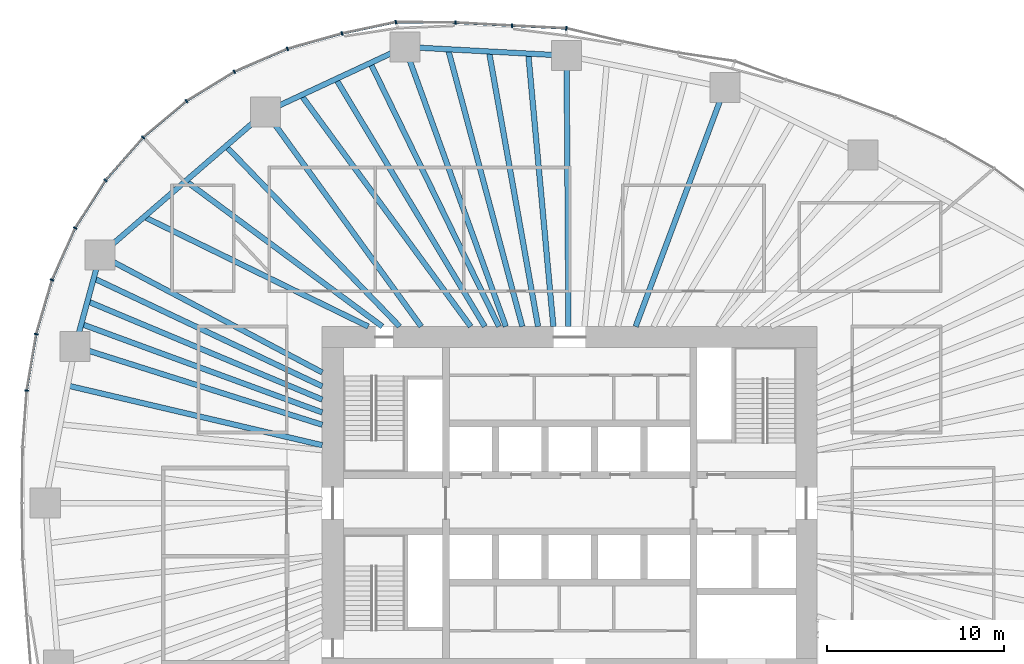
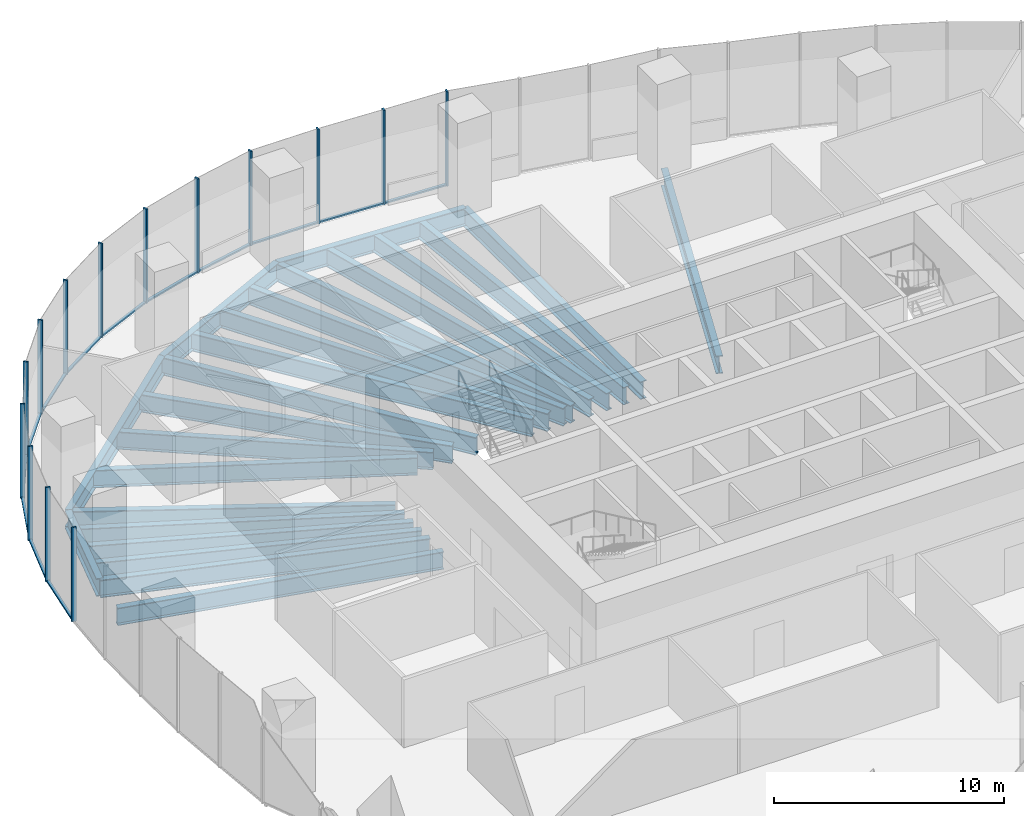
# One storey, part 5 of 20: 27 members, 23 beams, 5 elements without a shape of their own.
"""IFC4 building model written with IfcOpenShell, lengths in metres."""

import ifcopenshell
import ifcopenshell.guid

model = None  # the IFC model being written
_history = None  # IfcOwnerHistory: only IFC2X3 demands one
_inside = {}  # id of a spatial element -> (the spatial element, [elements in it])
_under = {}  # id of a project, library or spatial element -> (it, [spatial elements below it])
_declared = {}  # id of a project -> (the project, [libraries it declares])
_typed = {}  # id of a type object -> (the type object, [elements of that type])
_made_of = {}  # id of a material, layer set ... -> (it, [elements and type objects made of it])


def new_model(schema):
    """Start an empty IFC model of exactly this schema.

    Asked for "IFC4X3", IfcOpenShell would pick the latest addendum, in which some entities
    have other attributes; the version numbers below select the first issue.
    IFC2X3 requires an IfcOwnerHistory on every rooted entity: one is made here for all.
    """
    global model, _history
    if schema == "IFC4X3":
        model = ifcopenshell.file(schema_version=(4, 3, 0, 0))
    else:
        model = ifcopenshell.file(schema=schema)
    _inside.clear()
    _under.clear()
    _declared.clear()
    _typed.clear()
    _made_of.clear()
    _history = None
    if model.schema == "IFC2X3":
        org = make("IfcOrganization", Name="unknown")
        user = make(
            "IfcPersonAndOrganization",
            ThePerson=make("IfcPerson", FamilyName="unknown"),
            TheOrganization=org,
        )
        app = make(
            "IfcApplication",
            ApplicationDeveloper=org,
            Version="unknown",
            ApplicationFullName="unknown",
            ApplicationIdentifier="unknown",
        )
        _history = make(
            "IfcOwnerHistory",
            OwningUser=user,
            OwningApplication=app,
            ChangeAction="ADDED",
            CreationDate=0,
        )
    return model


def make(cls, **values):
    """One entity of the class cls with the attributes given. An attribute that is None is left unset."""
    return model.create_entity(
        cls, **{name: value for name, value in values.items() if value is not None}
    )


def rooted(cls, **values):
    """An entity with a GlobalId (a new one), such as an element, a storey or a relation."""
    return make(cls, GlobalId=ifcopenshell.guid.new(), OwnerHistory=_history, **values)


def si_unit(unit_type, name, prefix=None):
    """IfcSIUnit, for example si_unit("LENGTHUNIT", "METRE", prefix="MILLI")."""
    return make("IfcSIUnit", UnitType=unit_type, Prefix=prefix, Name=name)


def assignment(units):
    """IfcUnitAssignment: the units of a project."""
    return None if units is None else make("IfcUnitAssignment", Units=units)


def point(xyz):
    """IfcCartesianPoint."""
    return None if xyz is None else make("IfcCartesianPoint", Coordinates=xyz)


def direction(xyz):
    """IfcDirection."""
    return None if xyz is None else make("IfcDirection", DirectionRatios=xyz)


def frame(location, z_axis=None, x_axis=None):
    """IfcAxis2Placement3D, a coordinate frame: its origin and axes. An axis left out is left unset."""
    return make(
        "IfcAxis2Placement3D",
        Location=point(location),
        Axis=direction(z_axis),
        RefDirection=direction(x_axis),
    )


def frame_2d(location, x_axis=None):
    """IfcAxis2Placement2D, a coordinate frame in the plane: its origin and x axis."""
    return make(
        "IfcAxis2Placement2D", Location=point(location), RefDirection=direction(x_axis)
    )


def origin():
    """The frame at (0, 0, 0) with its axes left unset."""
    return frame((0.0, 0.0, 0.0))


def origin_2d():
    """The frame at (0, 0) in the plane with its x axis left unset."""
    return frame_2d((0.0, 0.0))


def place(relative_to, where):
    """IfcLocalPlacement: puts the frame where relative to a parent placement (None: the world)."""
    return make(
        "IfcLocalPlacement", PlacementRelTo=relative_to, RelativePlacement=where
    )


def context(
    kind, dimensions, precision=None, world=None, true_north=None, identifier=None
):
    """IfcGeometricRepresentationContext, for example the 3D "Model" context."""
    return make(
        "IfcGeometricRepresentationContext",
        ContextIdentifier=identifier,
        ContextType=kind,
        CoordinateSpaceDimension=dimensions,
        Precision=precision,
        WorldCoordinateSystem=world,
        TrueNorth=true_north,
    )


def subcontext(parent, identifier, kind, view, scale=None):
    """IfcGeometricRepresentationSubContext, for example "Body" below "Model"."""
    return make(
        "IfcGeometricRepresentationSubContext",
        ContextIdentifier=identifier,
        ContextType=kind,
        ParentContext=parent,
        TargetScale=scale,
        TargetView=view,
    )


def project(units=None, contexts=None):
    """IfcProject with its units and contexts."""
    return rooted(
        "IfcProject",
        Name="project",
        RepresentationContexts=contexts,
        UnitsInContext=assignment(units),
    )


def spatial(cls, under=None, at=None, **own):
    """A site, building, storey or space (cls), placed at a placement, below another one or the project."""
    s = rooted(cls, ObjectPlacement=at, **own)
    if under is not None:
        _under.setdefault(under.id(), (under, []))[1].append(s)
    return s


def profile(cls, at=None, kind="AREA", **sizes):
    """A parametric profile (cls). Its sizes go by their IFC names, for example OverallWidth=200.0."""
    return make(cls, ProfileType=kind, Position=at, **sizes)


def rectangle(**sizes):
    """IfcRectangleProfileDef."""
    return profile("IfcRectangleProfileDef", **sizes)


def i_section(**sizes):
    """IfcIShapeProfileDef."""
    return profile("IfcIShapeProfileDef", **sizes)


def extrude(swept, where, along, depth):
    """IfcExtrudedAreaSolid: the profile swept, set in the frame where, extruded along a direction by depth."""
    return make(
        "IfcExtrudedAreaSolid",
        SweptArea=swept,
        Position=where,
        ExtrudedDirection=direction(along),
        Depth=depth,
    )


def shape(context_of_items, identifier, shape_type, items):
    """IfcShapeRepresentation: the items that make up one representation, for example the "Body"."""
    return make(
        "IfcShapeRepresentation",
        ContextOfItems=context_of_items,
        RepresentationIdentifier=identifier,
        RepresentationType=shape_type,
        Items=items,
    )


def material(Name=None, Category=None):
    """IfcMaterial."""
    return make("IfcMaterial", Name=Name, Category=Category)


def material_profile(
    of_material, cross_section, Name=None, Category=None, Priority=None
):
    """IfcMaterialProfile: a cross section and its material."""
    return make(
        "IfcMaterialProfile",
        Name=Name,
        Material=of_material,
        Profile=cross_section,
        Priority=Priority,
        Category=Category,
    )


def profile_set(profiles, Name=None, composite=None):
    """IfcMaterialProfileSet."""
    return make(
        "IfcMaterialProfileSet",
        Name=Name,
        MaterialProfiles=profiles,
        CompositeProfile=composite,
    )


def made_of(thing, what):
    """Note that an element or type object is made of a material, layer set ...; save() writes the relation."""
    if what is not None:
        _made_of.setdefault(what.id(), (what, []))[1].append(thing)
    return thing


def type_object(cls, material=None, **own):
    """A type object (cls), such as IfcWallType, which elements share."""
    return made_of(rooted(cls, **own), material)


def element(
    cls,
    number,
    at=None,
    inside=None,
    cuts=None,
    type_object=None,
    material=None,
    context=None,
    identifier="Body",
    shape_type=None,
    held_by="IfcProductDefinitionShape",
    body=None,
    shapes=None,
    **own,
):
    """One element of the class cls, such as IfcWall. Its Tag is "e" and its number.

    at: its placement. inside: the storey or other place that contains it. cuts: it is an
    opening in that element (IfcRelVoidsElement). A single representation is given by context,
    identifier, shape_type and body (its items); several are given by shapes. held_by: the class
    of the entity that holds the representations. save() writes the other relations.
    """
    e = rooted(cls, Tag="e%d" % number, ObjectPlacement=at, **own)
    if body is not None:
        shapes = [shape(context, identifier, shape_type, body)]
    if shapes is not None:
        e.Representation = make(held_by, Representations=shapes)
    if inside is not None:
        _inside.setdefault(inside.id(), (inside, []))[1].append(e)
    if cuts is not None:
        rooted(
            "IfcRelVoidsElement", RelatingBuildingElement=cuts, RelatedOpeningElement=e
        )
    if type_object is not None:
        _typed.setdefault(type_object.id(), (type_object, []))[1].append(e)
    return made_of(e, material)


def aggregate(whole, parts):
    """IfcRelAggregates: a whole, such as a stair, and the parts it consists of."""
    return rooted("IfcRelAggregates", RelatingObject=whole, RelatedObjects=parts)


def save(model, path):
    """Write the relations noted so far, then the file.

    IfcRelAggregates (storeys below a building ...), IfcRelContainedInSpatialStructure (elements
    in a storey), IfcRelDefinesByType, IfcRelAssociatesMaterial and IfcRelDeclares: one each for
    every whole, place, type object, material and project.
    """
    for whole, parts in _under.values():
        aggregate(whole, parts)
    for where, things in _inside.values():
        rooted(
            "IfcRelContainedInSpatialStructure",
            RelatedElements=things,
            RelatingStructure=where,
        )
    for kind, things in _typed.values():
        rooted("IfcRelDefinesByType", RelatedObjects=things, RelatingType=kind)
    for what, things in _made_of.values():
        rooted("IfcRelAssociatesMaterial", RelatedObjects=things, RelatingMaterial=what)
    for by, libraries in _declared.values():
        rooted("IfcRelDeclares", RelatingContext=by, RelatedDefinitions=libraries)
    model.write(path)


model = new_model("IFC4")

# Units and contexts
model_context = context("Model", 3, precision=1e-05, world=origin(), true_north=direction((0.0, 1.0)))
body_context = subcontext(model_context, "Body", "Model", "MODEL_VIEW")
ifc_project = project(units=[si_unit("LENGTHUNIT", "METRE"), si_unit("AREAUNIT", "SQUARE_METRE"), si_unit("VOLUMEUNIT", "CUBIC_METRE"), si_unit("PLANEANGLEUNIT", "RADIAN"), si_unit("MASSUNIT", "GRAM", prefix="KILO")], contexts=[model_context])

# Site, building, storey
site_placement = place(None, origin())
site = spatial("IfcSite", under=ifc_project, at=site_placement, CompositionType="ELEMENT")
building_placement = place(site_placement, origin())
building = spatial("IfcBuilding", under=site, at=building_placement, Name="Ghaith Harvest Tower", CompositionType="ELEMENT")
storey_placement = place(building_placement, frame((0.0, 0.0, 80.0)))
storey = spatial("IfcBuildingStorey", under=building, at=storey_placement, Name="L16", CompositionType="ELEMENT", Elevation=80.0)

# Curtain wall, members
ifc_material_1 = material(Name="Black anodised aluminium and fritted glass", Category="aluminium")
curtain_wall_type = type_object("IfcCurtainWallType", Name="CW-F CURTAIN WALL", PredefinedType="NOTDEFINED", material=ifc_material_1)
curtain_wall_1_placement = place(storey_placement, origin())
curtain_wall_1 = element("IfcCurtainWall", 1, at=curtain_wall_1_placement, inside=storey, type_object=curtain_wall_type, Name="Curtain wall CW-F bay 06 L16", PredefinedType="NOTDEFINED")
ifc_material_2 = material(Name="Aluminium, black anodised", Category="aluminium")
ifc_material_profile_1 = material_profile(ifc_material_2, rectangle(XDim=0.080078125, YDim=0.219970703125, at=origin_2d()), Name="CW-F MULLION 80x220")
ifc_profile_set_1 = profile_set([ifc_material_profile_1], Name="Aluminium, black anodised")
member_type_1 = type_object("IfcMemberType", Name="CW-F MULLION 80x220", PredefinedType="MULLION", material=ifc_profile_set_1)
member_1_placement = place(storey_placement, frame((-0.183837890625, 26.877197265625, 0.0), z_axis=(0.0, 0.0, 1.0), x_axis=(-0.98971187143, 0.143074845976, 0.0)))
member_1 = element("IfcMember", 2, at=member_1_placement, type_object=member_type_1, Name="CW-F mullion 1 bay 06 L16", PredefinedType="MULLION", context=body_context, shape_type="SweptSolid", body=[
    extrude(rectangle(XDim=0.080078125, YDim=0.219970703125, at=origin_2d()), origin(), (0.0, 0.0, 1.0), 5.0),
])
member_2_placement = place(storey_placement, frame((-3.261962890625, 27.02978515625, 0.0), z_axis=(0.0, 0.0, 1.0), x_axis=(-0.998666923291, 0.051617597049, 0.0)))
member_2 = element("IfcMember", 3, at=member_2_placement, type_object=member_type_1, Name="CW-F mullion 2 bay 06 L16", PredefinedType="MULLION", context=body_context, shape_type="SweptSolid", body=[
    extrude(rectangle(XDim=0.080078125, YDim=0.219970703125, at=origin_2d()), origin(), (0.0, 0.0, 1.0), 5.0),
])
member_3_placement = place(storey_placement, frame((-6.465087890625, 27.20166015625, 0.0), z_axis=(0.0, 0.0, 1.0), x_axis=(-0.999527102163, 0.030750155138, 0.0)))
member_3 = element("IfcMember", 4, at=member_3_placement, type_object=member_type_1, Name="CW-F mullion 3 bay 06 L16", PredefinedType="MULLION", context=body_context, shape_type="SweptSolid", body=[
    extrude(rectangle(XDim=0.080078125, YDim=0.219970703125, at=origin_2d()), origin(), (0.0, 0.0, 1.0), 5.0),
])

curtain_wall_2_placement = place(storey_placement, origin())
curtain_wall_2 = element("IfcCurtainWall", 5, at=curtain_wall_2_placement, inside=storey, type_object=curtain_wall_type, Name="Curtain wall CW-F bay 07 L16", PredefinedType="NOTDEFINED")
member_4_placement = place(storey_placement, frame((-9.835693359375, 27.232177734375, 0.0), z_axis=(0.0, 0.0, 1.0), x_axis=(-0.995408459337, -0.095718332001, 0.0)))
member_4 = element("IfcMember", 6, at=member_4_placement, type_object=member_type_1, Name="CW-F mullion 1 bay 07 L16", PredefinedType="MULLION", context=body_context, shape_type="SweptSolid", body=[
    extrude(rectangle(XDim=0.080078125, YDim=0.219970703125, at=origin_2d()), origin(), (0.0, 0.0, 1.0), 5.0),
])
member_5_placement = place(storey_placement, frame((-12.880615234375, 26.5849609375, 0.0), z_axis=(0.0, 0.0, 1.0), x_axis=(-0.970824511782, -0.239791091, 0.0)))
member_5 = element("IfcMember", 7, at=member_5_placement, type_object=member_type_1, Name="CW-F mullion 2 bay 07 L16", PredefinedType="MULLION", context=body_context, shape_type="SweptSolid", body=[
    extrude(rectangle(XDim=0.080078125, YDim=0.219970703125, at=origin_2d()), origin(), (0.0, 0.0, 1.0), 5.0),
])
member_6_placement = place(storey_placement, frame((-15.97119140625, 25.716552734375, 0.0), z_axis=(0.0, 0.0, 1.0), x_axis=(-0.942293550527, -0.334787790451, 0.0)))
member_6 = element("IfcMember", 8, at=member_6_placement, type_object=member_type_1, Name="CW-F mullion 3 bay 07 L16", PredefinedType="MULLION", context=body_context, shape_type="SweptSolid", body=[
    extrude(rectangle(XDim=0.080078125, YDim=0.219970703125, at=origin_2d()), origin(), (0.0, 0.0, 1.0), 5.0),
])

curtain_wall_3_placement = place(storey_placement, origin())
curtain_wall_3 = element("IfcCurtainWall", 9, at=curtain_wall_3_placement, inside=storey, type_object=curtain_wall_type, Name="Curtain wall CW-F bay 08 L16", PredefinedType="NOTDEFINED")
member_7_placement = place(storey_placement, frame((-18.96728515625, 24.42236328125, 0.0), z_axis=(0.0, 0.0, 1.0), x_axis=(-0.887912253252, -0.460012859086, 0.0)))
member_7 = element("IfcMember", 10, at=member_7_placement, type_object=member_type_1, Name="CW-F mullion 1 bay 08 L16", PredefinedType="MULLION", context=body_context, shape_type="SweptSolid", body=[
    extrude(rectangle(XDim=0.080078125, YDim=0.219970703125, at=origin_2d()), origin(), (0.0, 0.0, 1.0), 5.0),
])
member_8_placement = place(storey_placement, frame((-21.681640625, 22.758056640625, 0.0), z_axis=(0.0, 0.0, 1.0), x_axis=(-0.811400750439, -0.584490224202, 0.0)))
member_8 = element("IfcMember", 11, at=member_8_placement, type_object=member_type_1, Name="CW-F mullion 2 bay 08 L16", PredefinedType="MULLION", context=body_context, shape_type="SweptSolid", body=[
    extrude(rectangle(XDim=0.080078125, YDim=0.219970703125, at=origin_2d()), origin(), (0.0, 0.0, 1.0), 5.0),
])
member_9_placement = place(storey_placement, frame((-24.139404296875, 20.696533203125, 0.0), z_axis=(0.0, 0.0, 1.0), x_axis=(-0.714663248213, -0.699468685256, 0.0)))
member_9 = element("IfcMember", 12, at=member_9_placement, type_object=member_type_1, Name="CW-F mullion 3 bay 08 L16", PredefinedType="MULLION", context=body_context, shape_type="SweptSolid", body=[
    extrude(rectangle(XDim=0.080078125, YDim=0.219970703125, at=origin_2d()), origin(), (0.0, 0.0, 1.0), 5.0),
])

curtain_wall_4_placement = place(storey_placement, origin())
curtain_wall_4 = element("IfcCurtainWall", 13, at=curtain_wall_4_placement, inside=storey, type_object=curtain_wall_type, Name="Curtain wall CW-F bay 09 L16", PredefinedType="NOTDEFINED")
member_10_placement = place(storey_placement, frame((-26.26318359375, 18.274169921875, 0.0), z_axis=(0.0, 0.0, 1.0), x_axis=(-0.599861600644, -0.800103780814, 0.0)))
member_10 = element("IfcMember", 14, at=member_10_placement, type_object=member_type_1, Name="CW-F mullion 1 bay 09 L16", PredefinedType="MULLION", context=body_context, shape_type="SweptSolid", body=[
    extrude(rectangle(XDim=0.080078125, YDim=0.219970703125, at=origin_2d()), origin(), (0.0, 0.0, 1.0), 5.0),
])
member_11_placement = place(storey_placement, frame((-27.986328125, 15.5654296875, 0.0), z_axis=(0.0, 0.0, 1.0), x_axis=(-0.473265082758, -0.880920065297, 0.0)))
member_11 = element("IfcMember", 15, at=member_11_placement, type_object=member_type_1, Name="CW-F mullion 2 bay 09 L16", PredefinedType="MULLION", context=body_context, shape_type="SweptSolid", body=[
    extrude(rectangle(XDim=0.080078125, YDim=0.219970703125, at=origin_2d()), origin(), (0.0, 0.0, 1.0), 5.0),
])
member_12_placement = place(storey_placement, frame((-29.29248046875, 12.63525390625, 0.0), z_axis=(0.0, 0.0, 1.0), x_axis=(-0.344618322502, -0.938742889079, 0.0)))
member_12 = element("IfcMember", 16, at=member_12_placement, type_object=member_type_1, Name="CW-F mullion 3 bay 09 L16", PredefinedType="MULLION", context=body_context, shape_type="SweptSolid", body=[
    extrude(rectangle(XDim=0.080078125, YDim=0.219970703125, at=origin_2d()), origin(), (0.0, 0.0, 1.0), 5.0),
])

curtain_wall_5_placement = place(storey_placement, origin())
curtain_wall_5 = element("IfcCurtainWall", 17, at=curtain_wall_5_placement, inside=storey, type_object=curtain_wall_type, Name="Curtain wall CW-F bay 10 L16", PredefinedType="NOTDEFINED")
member_13_placement = place(storey_placement, frame((-30.1884765625, 9.567138671875, 0.0), z_axis=(0.0, 0.0, 1.0), x_axis=(-0.222967363645, -0.97482590997, 0.0)))
member_13 = element("IfcMember", 18, at=member_13_placement, type_object=member_type_1, Name="CW-F mullion 1 bay 10 L16", PredefinedType="MULLION", context=body_context, shape_type="SweptSolid", body=[
    extrude(rectangle(XDim=0.080078125, YDim=0.219970703125, at=origin_2d()), origin(), (0.0, 0.0, 1.0), 5.0),
])
member_14_placement = place(storey_placement, frame((-30.724365234375, 6.37548828125, 0.0), z_axis=(0.0, 0.0, 1.0), x_axis=(-0.119352816132, -0.99285190501, 0.0)))
member_14 = element("IfcMember", 19, at=member_14_placement, type_object=member_type_1, Name="CW-F mullion 2 bay 10 L16", PredefinedType="MULLION", context=body_context, shape_type="SweptSolid", body=[
    extrude(rectangle(XDim=0.080078125, YDim=0.219970703125, at=origin_2d()), origin(), (0.0, 0.0, 1.0), 5.0),
])

# Member
ifc_material_3 = material(Name="Aluminium, black anodised", Category="aluminium")
ifc_material_profile_2 = material_profile(ifc_material_3, rectangle(XDim=0.139892578125, YDim=0.080078125, at=origin_2d()), Name="CW-F TRANSOM 140x80")
ifc_profile_set_2 = profile_set([ifc_material_profile_2], Name="Aluminium, black anodised")
member_type_2 = type_object("IfcMemberType", Name="CW-F TRANSOM 140x80", PredefinedType="USERDEFINED", material=ifc_profile_set_2)
member_15_placement = place(storey_placement, frame((-0.223876953125, 26.879150390625, 0.0400390625), z_axis=(-0.998772539109, 0.049531960612, 0.0), x_axis=(-0.049531960612, -0.998772539109, 0.0)))
member_15 = element("IfcMember", 20, at=member_15_placement, type_object=member_type_2, Name="CW-F transom 1 bay 06 L16", ObjectType="TRANSOM", PredefinedType="USERDEFINED", context=body_context, shape_type="SweptSolid", body=[
    extrude(rectangle(XDim=0.139892578125, YDim=0.080078125, at=origin_2d()), origin(), (0.0, 0.0, 1.0), 3.001708984375),
])

member_16_placement = place(storey_placement, frame((-3.3017578125, 27.031982421875, 0.0400390625), z_axis=(-0.99856142387, 0.053619798202, 0.0), x_axis=(-0.053619798202, -0.99856142387, 0.0)))
member_16 = element("IfcMember", 21, at=member_16_placement, type_object=member_type_2, Name="CW-F transom 2 bay 06 L16", ObjectType="TRANSOM", PredefinedType="USERDEFINED", context=body_context, shape_type="SweptSolid", body=[
    extrude(rectangle(XDim=0.139892578125, YDim=0.080078125, at=origin_2d()), origin(), (0.0, 0.0, 1.0), 3.1279296875),
])

member_17_placement = place(storey_placement, frame((-6.505126953125, 27.2021484375, 0.0400390625), z_axis=(-0.999959703847, 0.008977231352, 0.0), x_axis=(-0.008977231352, -0.999959703847, 0.0)))
member_17 = element("IfcMember", 22, at=member_17_placement, type_object=member_type_2, Name="CW-F transom 3 bay 06 L16", ObjectType="TRANSOM", PredefinedType="USERDEFINED", context=body_context, shape_type="SweptSolid", body=[
    extrude(rectangle(XDim=0.139892578125, YDim=0.080078125, at=origin_2d()), origin(), (0.0, 0.0, 1.0), 3.290771484375),
])

aggregate(curtain_wall_1, [member_1, member_15, member_2, member_16, member_3, member_17])

member_18_placement = place(storey_placement, frame((-9.874755859375, 27.2236328125, 0.0400390625), z_axis=(-0.978160283029, -0.207852016359, 0.0), x_axis=(0.207852016359, -0.978160283029, 0.0)))
member_18 = element("IfcMember", 23, at=member_18_placement, type_object=member_type_2, Name="CW-F transom 1 bay 07 L16", ObjectType="TRANSOM", PredefinedType="USERDEFINED", context=body_context, shape_type="SweptSolid", body=[
    extrude(rectangle(XDim=0.139892578125, YDim=0.080078125, at=origin_2d()), origin(), (0.0, 0.0, 1.0), 3.03271484375),
])

member_19_placement = place(storey_placement, frame((-12.9189453125, 26.573974609375, 0.0400390625), z_axis=(-0.962727128991, -0.270474536888, 0.0), x_axis=(0.270474536888, -0.962727128991, 0.0)))
member_19 = element("IfcMember", 24, at=member_19_placement, type_object=member_type_2, Name="CW-F transom 2 bay 07 L16", ObjectType="TRANSOM", PredefinedType="USERDEFINED", context=body_context, shape_type="SweptSolid", body=[
    extrude(rectangle(XDim=0.139892578125, YDim=0.080078125, at=origin_2d()), origin(), (0.0, 0.0, 1.0), 3.13037109375),
])

member_20_placement = place(storey_placement, frame((-16.008056640625, 25.70068359375, 0.0400390625), z_axis=(-0.9180027124, -0.396574104079, 0.0), x_axis=(0.396574104079, -0.9180027124, 0.0)))
member_20 = element("IfcMember", 25, at=member_20_placement, type_object=member_type_2, Name="CW-F transom 3 bay 07 L16", ObjectType="TRANSOM", PredefinedType="USERDEFINED", context=body_context, shape_type="SweptSolid", body=[
    extrude(rectangle(XDim=0.139892578125, YDim=0.080078125, at=origin_2d()), origin(), (0.0, 0.0, 1.0), 3.183349609375),
])

aggregate(curtain_wall_2, [member_4, member_18, member_5, member_19, member_6, member_20])

member_21_placement = place(storey_placement, frame((-19.001220703125, 24.4013671875, 0.0400390625), z_axis=(-0.852561687195, -0.522626606219, 0.0), x_axis=(0.522626606219, -0.852561687195, 0.0)))
member_21 = element("IfcMember", 26, at=member_21_placement, type_object=member_type_2, Name="CW-F transom 1 bay 08 L16", ObjectType="TRANSOM", PredefinedType="USERDEFINED", context=body_context, shape_type="SweptSolid", body=[
    extrude(rectangle(XDim=0.139892578125, YDim=0.080078125, at=origin_2d()), origin(), (0.0, 0.0, 1.0), 3.104248046875),
])

member_22_placement = place(storey_placement, frame((-21.71240234375, 22.732421875, 0.0400390625), z_axis=(-0.766144434184, -0.642668426149, 0.0), x_axis=(0.642668426149, -0.766144434184, 0.0)))
member_22 = element("IfcMember", 27, at=member_22_placement, type_object=member_type_2, Name="CW-F transom 2 bay 08 L16", ObjectType="TRANSOM", PredefinedType="USERDEFINED", context=body_context, shape_type="SweptSolid", body=[
    extrude(rectangle(XDim=0.139892578125, YDim=0.080078125, at=origin_2d()), origin(), (0.0, 0.0, 1.0), 3.1279296875),
])

member_23_placement = place(storey_placement, frame((-24.165771484375, 20.66650390625, 0.0400390625), z_axis=(-0.65923052982, -0.751940894322, 0.0), x_axis=(0.751940894322, -0.65923052982, 0.0)))
member_23 = element("IfcMember", 28, at=member_23_placement, type_object=member_type_2, Name="CW-F transom 3 bay 08 L16", ObjectType="TRANSOM", PredefinedType="USERDEFINED", context=body_context, shape_type="SweptSolid", body=[
    extrude(rectangle(XDim=0.139892578125, YDim=0.080078125, at=origin_2d()), origin(), (0.0, 0.0, 1.0), 3.1416015625),
])

aggregate(curtain_wall_3, [member_7, member_21, member_8, member_22, member_9, member_23])

member_24_placement = place(storey_placement, frame((-26.28466796875, 18.240234375, 0.0400390625), z_axis=(-0.536754366643, -0.843738555412, 0.0), x_axis=(0.843738555412, -0.536754366643, 0.0)))
member_24 = element("IfcMember", 29, at=member_24_placement, type_object=member_type_2, Name="CW-F transom 1 bay 09 L16", ObjectType="TRANSOM", PredefinedType="USERDEFINED", context=body_context, shape_type="SweptSolid", body=[
    extrude(rectangle(XDim=0.139892578125, YDim=0.080078125, at=origin_2d()), origin(), (0.0, 0.0, 1.0), 3.13037109375),
])

member_25_placement = place(storey_placement, frame((-28.002685546875, 15.52880859375, 0.0400390625), z_axis=(-0.407123143204, -0.913373278714, 0.0), x_axis=(0.913373278714, -0.407123143204, 0.0)))
member_25 = element("IfcMember", 30, at=member_25_placement, type_object=member_type_2, Name="CW-F transom 2 bay 09 L16", ObjectType="TRANSOM", PredefinedType="USERDEFINED", context=body_context, shape_type="SweptSolid", body=[
    extrude(rectangle(XDim=0.139892578125, YDim=0.080078125, at=origin_2d()), origin(), (0.0, 0.0, 1.0), 3.1279296875),
])

member_26_placement = place(storey_placement, frame((-29.3037109375, 12.596923828125, 0.0400390625), z_axis=(-0.280324903873, -0.959905176707, 0.0), x_axis=(0.959905176707, -0.280324903873, 0.0)))
member_26 = element("IfcMember", 31, at=member_26_placement, type_object=member_type_2, Name="CW-F transom 3 bay 09 L16", ObjectType="TRANSOM", PredefinedType="USERDEFINED", context=body_context, shape_type="SweptSolid", body=[
    extrude(rectangle(XDim=0.139892578125, YDim=0.080078125, at=origin_2d()), origin(), (0.0, 0.0, 1.0), 3.1162109375),
])

aggregate(curtain_wall_4, [member_10, member_24, member_11, member_25, member_12, member_26])

member_27_placement = place(storey_placement, frame((-30.195068359375, 9.52783203125, 0.0400390625), z_axis=(-0.165527763099, -0.986205130611, 0.0), x_axis=(0.986205130611, -0.165527763099, 0.0)))
member_27 = element("IfcMember", 32, at=member_27_placement, type_object=member_type_2, Name="CW-F transom 1 bay 10 L16", ObjectType="TRANSOM", PredefinedType="USERDEFINED", context=body_context, shape_type="SweptSolid", body=[
    extrude(rectangle(XDim=0.139892578125, YDim=0.080078125, at=origin_2d()), origin(), (0.0, 0.0, 1.0), 3.15625),
])

aggregate(curtain_wall_5, [member_13, member_27, member_14])

# Beams
ifc_material_4 = material(Name="Steel ASTM A992 Grade 50", Category="steel")
ifc_material_profile_3 = material_profile(ifc_material_4, i_section(OverallWidth=0.306884765625, OverallDepth=0.94189453125, WebThickness=0.022216796875, FlangeThickness=0.039794921875, at=origin_2d()), Name="W920X345")
ifc_profile_set_3 = profile_set([ifc_material_profile_3], Name="Steel ASTM A992 Grade 50")
beam_type_1 = type_object("IfcBeamType", Name="E920-345 W920X345", PredefinedType="SPANDREL", material=ifc_profile_set_3)
beam_1_placement = place(storey_placement, frame((-0.173095703125, 25.326904296875, -0.6708984375), z_axis=(-0.998545840532, 0.053909223293, 0.0), x_axis=(-0.053909223293, -0.998545840532, 0.0)))
element("IfcBeam", 33, at=beam_1_placement, inside=storey, type_object=beam_type_1, Name="Edge beam E06 L16", PredefinedType="SPANDREL", context=body_context, shape_type="SweptSolid", body=[
    extrude(i_section(OverallWidth=0.306884765625, OverallDepth=0.94189453125, WebThickness=0.022216796875, FlangeThickness=0.039794921875, at=origin_2d()), origin(), (0.0, 0.0, 1.0), 9.166259765625),
])
beam_2_placement = place(storey_placement, frame((-9.325927734375, 25.821044921875, -0.6708984375), z_axis=(-0.906373259523, -0.422477827137, 0.0), x_axis=(0.422477827137, -0.906373259523, 0.0)))
element("IfcBeam", 34, at=beam_2_placement, inside=storey, type_object=beam_type_1, Name="Edge beam E07 L16", PredefinedType="SPANDREL", context=body_context, shape_type="SweptSolid", body=[
    extrude(i_section(OverallWidth=0.306884765625, OverallDepth=0.94189453125, WebThickness=0.022216796875, FlangeThickness=0.039794921875, at=origin_2d()), origin(), (0.0, 0.0, 1.0), 8.689453125),
])
beam_3_placement = place(storey_placement, frame((-17.201904296875, 22.14990234375, -0.6708984375), z_axis=(-0.756392158274, -0.654118416574, 0.0), x_axis=(0.654118416574, -0.756392158274, 0.0)))
element("IfcBeam", 35, at=beam_3_placement, inside=storey, type_object=beam_type_1, Name="Edge beam E08 L16", PredefinedType="SPANDREL", context=body_context, shape_type="SweptSolid", body=[
    extrude(i_section(OverallWidth=0.306884765625, OverallDepth=0.94189453125, WebThickness=0.022216796875, FlangeThickness=0.039794921875, at=origin_2d()), origin(), (0.0, 0.0, 1.0), 12.38916015625),
])
beam_4_placement = place(storey_placement, frame((-26.572998046875, 14.0458984375, -0.6708984375), z_axis=(-0.262724740433, -0.964870825947, 0.0), x_axis=(0.964870825947, -0.262724740433, 0.0)))
element("IfcBeam", 36, at=beam_4_placement, inside=storey, type_object=beam_type_1, Name="Edge beam E09 L16", PredefinedType="SPANDREL", context=body_context, shape_type="SweptSolid", body=[
    extrude(i_section(OverallWidth=0.306884765625, OverallDepth=0.94189453125, WebThickness=0.022216796875, FlangeThickness=0.039794921875, at=origin_2d()), origin(), (0.0, 0.0, 1.0), 5.366455078125),
])
ifc_material_5 = material(Name="Steel ASTM A992 Grade 50", Category="steel")
ifc_material_profile_4 = material_profile(ifc_material_5, i_section(OverallWidth=0.306884765625, OverallDepth=0.94189453125, WebThickness=0.022216796875, FlangeThickness=0.039794921875, at=origin_2d()), Name="W920X345")
ifc_profile_set_4 = profile_set([ifc_material_profile_4], Name="Steel ASTM A992 Grade 50")
beam_type_2 = type_object("IfcBeamType", Name="G920-345 W920X345", PredefinedType="BEAM", material=ifc_profile_set_4)
beam_5_placement = place(storey_placement, frame((3.73828125, 10.0, -0.6708984375), z_axis=(0.350150596156, 0.936693418367, 0.0), x_axis=(-0.936693418367, 0.350150596156, 0.0)))
element("IfcBeam", 37, at=beam_5_placement, inside=storey, type_object=beam_type_2, Name="Radial girder G05 L16", PredefinedType="BEAM", context=body_context, shape_type="SweptSolid", body=[
    extrude(i_section(OverallWidth=0.306884765625, OverallDepth=0.94189453125, WebThickness=0.022216796875, FlangeThickness=0.039794921875, at=origin_2d()), origin(), (0.0, 0.0, 1.0), 14.44140625),
])
beam_6_placement = place(storey_placement, frame((-0.068359375, 10.0, -0.6708984375), z_axis=(-0.006833335732, 0.999976652489, 0.0), x_axis=(-0.999976652489, -0.006833335732, 0.0)))
element("IfcBeam", 38, at=beam_6_placement, inside=storey, type_object=beam_type_2, Name="Radial girder G06 L16", PredefinedType="BEAM", context=body_context, shape_type="SweptSolid", body=[
    extrude(i_section(OverallWidth=0.306884765625, OverallDepth=0.94189453125, WebThickness=0.022216796875, FlangeThickness=0.039794921875, at=origin_2d()), origin(), (0.0, 0.0, 1.0), 15.3271484375),
])
beam_7_placement = place(storey_placement, frame((-3.61181640625, 10.0, -0.6708984375), z_axis=(-0.339694751271, 0.940535738799, 0.0), x_axis=(-0.940535738799, -0.339694751271, 0.0)))
element("IfcBeam", 39, at=beam_7_placement, inside=storey, type_object=beam_type_2, Name="Radial girder G07 L16", PredefinedType="BEAM", context=body_context, shape_type="SweptSolid", body=[
    extrude(i_section(OverallWidth=0.306884765625, OverallDepth=0.94189453125, WebThickness=0.022216796875, FlangeThickness=0.039794921875, at=origin_2d()), origin(), (0.0, 0.0, 1.0), 16.8212890625),
])
beam_8_placement = place(storey_placement, frame((-8.39990234375, 10.0, -0.6708984375), z_axis=(-0.586675813287, 0.809821887889, 0.0), x_axis=(-0.809821887889, -0.586675813287, 0.0)))
element("IfcBeam", 40, at=beam_8_placement, inside=storey, type_object=beam_type_2, Name="Radial girder G08 L16", PredefinedType="BEAM", context=body_context, shape_type="SweptSolid", body=[
    extrude(i_section(OverallWidth=0.306884765625, OverallDepth=0.94189453125, WebThickness=0.022216796875, FlangeThickness=0.039794921875, at=origin_2d()), origin(), (0.0, 0.0, 1.0), 15.003173828125),
])
beam_9_placement = place(storey_placement, frame((-14.0, 7.39990234375, -0.6708984375), z_axis=(-0.88408713845, 0.467322085533, 0.0), x_axis=(-0.467322085533, -0.88408713845, 0.0)))
element("IfcBeam", 41, at=beam_9_placement, inside=storey, type_object=beam_type_2, Name="Radial girder G09 L16", PredefinedType="BEAM", context=body_context, shape_type="SweptSolid", body=[
    extrude(i_section(OverallWidth=0.306884765625, OverallDepth=0.94189453125, WebThickness=0.022216796875, FlangeThickness=0.039794921875, at=origin_2d()), origin(), (0.0, 0.0, 1.0), 14.221435546875),
])
beam_10_placement = place(storey_placement, frame((-14.0, 4.43701171875, -0.6708984375), z_axis=(-0.953283605796, 0.302076756671, 0.0), x_axis=(-0.302076756671, -0.953283605796, 0.0)))
element("IfcBeam", 42, at=beam_10_placement, inside=storey, type_object=beam_type_2, Name="Radial girder G10 L16", PredefinedType="BEAM", context=body_context, shape_type="SweptSolid", body=[
    extrude(i_section(OverallWidth=0.306884765625, OverallDepth=0.94189453125, WebThickness=0.022216796875, FlangeThickness=0.039794921875, at=origin_2d()), origin(), (0.0, 0.0, 1.0), 14.668212890625),
])
ifc_material_6 = material(Name="Steel ASTM A992 Grade 50", Category="steel")
ifc_material_profile_5 = material_profile(ifc_material_6, i_section(OverallWidth=0.31005859375, OverallDepth=0.927001953125, WebThickness=0.019287109375, FlangeThickness=0.031982421875, at=origin_2d()), Name="W920X289")
ifc_profile_set_5 = profile_set([ifc_material_profile_5], Name="Steel ASTM A992 Grade 50")
beam_type_3 = type_object("IfcBeamType", Name="J920-289 W920X289", PredefinedType="JOIST", material=ifc_profile_set_5)
beam_11_placement = place(storey_placement, frame((-0.92041015625, 10.0, -0.66357421875), z_axis=(-0.091647013776, 0.995791556936, 0.0), x_axis=(-0.995791556936, -0.091647013776, 0.0)))
element("IfcBeam", 43, at=beam_11_placement, inside=storey, type_object=beam_type_3, Name="Joist J06.1 L16", PredefinedType="JOIST", context=body_context, shape_type="SweptSolid", body=[
    extrude(i_section(OverallWidth=0.31005859375, OverallDepth=0.927001953125, WebThickness=0.019287109375, FlangeThickness=0.031982421875, at=origin_2d()), origin(), (0.0, 0.0, 1.0), 15.50927734375),
])
beam_12_placement = place(storey_placement, frame((-1.785888671875, 10.0, -0.66357421875), z_axis=(-0.175789035136, 0.984427861819, 0.0), x_axis=(-0.984427861819, -0.175789035136, 0.0)))
element("IfcBeam", 44, at=beam_12_placement, inside=storey, type_object=beam_type_3, Name="Joist J06.2 L16", PredefinedType="JOIST", context=body_context, shape_type="SweptSolid", body=[
    extrude(i_section(OverallWidth=0.31005859375, OverallDepth=0.927001953125, WebThickness=0.019287109375, FlangeThickness=0.031982421875, at=origin_2d()), origin(), (0.0, 0.0, 1.0), 15.810302734375),
])
beam_13_placement = place(storey_placement, frame((-10.60009765625, 10.0, -0.66357421875), z_axis=(-0.803663089107, 0.595084564752, 0.0), x_axis=(-0.595084564752, -0.803663089107, 0.0)))
element("IfcBeam", 45, at=beam_13_placement, inside=storey, type_object=beam_type_3, Name="Joist J08.2 L16", PredefinedType="JOIST", context=body_context, shape_type="SweptSolid", body=[
    extrude(i_section(OverallWidth=0.31005859375, OverallDepth=0.927001953125, WebThickness=0.019287109375, FlangeThickness=0.031982421875, at=origin_2d()), origin(), (0.0, 0.0, 1.0), 13.843505859375),
])
beam_14_placement = place(storey_placement, frame((-11.39990234375, 10.0, -0.66357421875), z_axis=(-0.898274832354, 0.439434096946, 0.0), x_axis=(-0.439434096946, -0.898274832354, 0.0)))
element("IfcBeam", 46, at=beam_14_placement, inside=storey, type_object=beam_type_3, Name="Joist J08.3 L16", PredefinedType="JOIST", context=body_context, shape_type="SweptSolid", body=[
    extrude(i_section(OverallWidth=0.31005859375, OverallDepth=0.927001953125, WebThickness=0.019287109375, FlangeThickness=0.031982421875, at=origin_2d()), origin(), (0.0, 0.0, 1.0), 14.114990234375),
])
beam_15_placement = place(storey_placement, frame((-14.0, 6.614990234375, -0.66357421875), z_axis=(-0.904153428261, 0.427207886354, 0.0), x_axis=(-0.427207886354, -0.904153428261, 0.0)))
element("IfcBeam", 47, at=beam_15_placement, inside=storey, type_object=beam_type_3, Name="Joist J09.1 L16", PredefinedType="JOIST", context=body_context, shape_type="SweptSolid", body=[
    extrude(i_section(OverallWidth=0.31005859375, OverallDepth=0.927001953125, WebThickness=0.019287109375, FlangeThickness=0.031982421875, at=origin_2d()), origin(), (0.0, 0.0, 1.0), 14.303466796875),
])
beam_16_placement = place(storey_placement, frame((-14.0, 5.862548828125, -0.66357421875), z_axis=(-0.922385943167, 0.38626955853, 0.0), x_axis=(-0.38626955853, -0.922385943167, 0.0)))
element("IfcBeam", 48, at=beam_16_placement, inside=storey, type_object=beam_type_3, Name="Joist J09.2 L16", PredefinedType="JOIST", context=body_context, shape_type="SweptSolid", body=[
    extrude(i_section(OverallWidth=0.31005859375, OverallDepth=0.927001953125, WebThickness=0.019287109375, FlangeThickness=0.031982421875, at=origin_2d()), origin(), (0.0, 0.0, 1.0), 14.404296875),
])
beam_17_placement = place(storey_placement, frame((-14.0, 5.137939453125, -0.66357421875), z_axis=(-0.93877541132, 0.344529718748, 0.0), x_axis=(-0.344529718748, -0.93877541132, 0.0)))
element("IfcBeam", 49, at=beam_17_placement, inside=storey, type_object=beam_type_3, Name="Joist J09.3 L16", PredefinedType="JOIST", context=body_context, shape_type="SweptSolid", body=[
    extrude(i_section(OverallWidth=0.31005859375, OverallDepth=0.927001953125, WebThickness=0.019287109375, FlangeThickness=0.031982421875, at=origin_2d()), origin(), (0.0, 0.0, 1.0), 14.525390625),
])
beam_18_placement = place(storey_placement, frame((-14.0, 3.280517578125, -0.66357421875), z_axis=(-0.973623012228, 0.228162727151, 0.0), x_axis=(-0.228162727151, -0.973623012228, 0.0)))
element("IfcBeam", 50, at=beam_18_placement, inside=storey, type_object=beam_type_3, Name="Joist J10.1 L16", PredefinedType="JOIST", context=body_context, shape_type="SweptSolid", body=[
    extrude(i_section(OverallWidth=0.31005859375, OverallDepth=0.927001953125, WebThickness=0.019287109375, FlangeThickness=0.031982421875, at=origin_2d()), origin(), (0.0, 0.0, 1.0), 14.795166015625),
])
ifc_material_7 = material(Name="Steel ASTM A992 Grade 50", Category="steel")
ifc_material_profile_6 = material_profile(ifc_material_7, i_section(OverallWidth=0.306884765625, OverallDepth=0.94189453125, WebThickness=0.022216796875, FlangeThickness=0.039794921875, at=origin_2d()), Name="W920X345")
ifc_profile_set_6 = profile_set([ifc_material_profile_6], Name="Steel ASTM A992 Grade 50")
beam_type_4 = type_object("IfcBeamType", Name="J920-345 W920X345", PredefinedType="JOIST", material=ifc_profile_set_6)
beam_19_placement = place(storey_placement, frame((-2.677978515625, 10.0, -0.6708984375), z_axis=(-0.258679482451, 0.965963211183, 0.0), x_axis=(-0.965963211183, -0.258679482451, 0.0)))
element("IfcBeam", 51, at=beam_19_placement, inside=storey, type_object=beam_type_4, Name="Joist J06.3 L16", PredefinedType="JOIST", context=body_context, shape_type="SweptSolid", body=[
    extrude(i_section(OverallWidth=0.306884765625, OverallDepth=0.94189453125, WebThickness=0.022216796875, FlangeThickness=0.039794921875, at=origin_2d()), origin(), (0.0, 0.0, 1.0), 16.24169921875),
])
beam_20_placement = place(storey_placement, frame((-4.0, 10.0, -0.6708984375), z_axis=(-0.438505380705, 0.898728563635, 0.0), x_axis=(-0.898728563635, -0.438505380705, 0.0)))
element("IfcBeam", 52, at=beam_20_placement, inside=storey, type_object=beam_type_4, Name="Joist J07.1 L16", PredefinedType="JOIST", context=body_context, shape_type="SweptSolid", body=[
    extrude(i_section(OverallWidth=0.306884765625, OverallDepth=0.94189453125, WebThickness=0.022216796875, FlangeThickness=0.039794921875, at=origin_2d()), origin(), (0.0, 0.0, 1.0), 16.592529296875),
])
beam_21_placement = place(storey_placement, frame((-4.800048828125, 10.0, -0.6708984375), z_axis=(-0.515358894704, 0.85697445099, 0.0), x_axis=(-0.85697445099, -0.515358894704, 0.0)))
element("IfcBeam", 53, at=beam_21_placement, inside=storey, type_object=beam_type_4, Name="Joist J07.2 L16", PredefinedType="JOIST", context=body_context, shape_type="SweptSolid", body=[
    extrude(i_section(OverallWidth=0.306884765625, OverallDepth=0.94189453125, WebThickness=0.022216796875, FlangeThickness=0.039794921875, at=origin_2d()), origin(), (0.0, 0.0, 1.0), 16.34228515625),
])
beam_22_placement = place(storey_placement, frame((-5.60009765625, 10.0, -0.6708984375), z_axis=(-0.591008736068, 0.806665155992, 0.0), x_axis=(-0.806665155992, -0.591008736068, 0.0)))
element("IfcBeam", 54, at=beam_22_placement, inside=storey, type_object=beam_type_4, Name="Joist J07.3 L16", PredefinedType="JOIST", context=body_context, shape_type="SweptSolid", body=[
    extrude(i_section(OverallWidth=0.306884765625, OverallDepth=0.94189453125, WebThickness=0.022216796875, FlangeThickness=0.039794921875, at=origin_2d()), origin(), (0.0, 0.0, 1.0), 16.22509765625),
])
beam_23_placement = place(storey_placement, frame((-9.626708984375, 10.0, -0.6708984375), z_axis=(-0.693535693616, 0.720422266231, 0.0), x_axis=(-0.720422266231, -0.693535693616, 0.0)))
element("IfcBeam", 55, at=beam_23_placement, inside=storey, type_object=beam_type_4, Name="Joist J08.1 L16", PredefinedType="JOIST", context=body_context, shape_type="SweptSolid", body=[
    extrude(i_section(OverallWidth=0.306884765625, OverallDepth=0.94189453125, WebThickness=0.022216796875, FlangeThickness=0.039794921875, at=origin_2d()), origin(), (0.0, 0.0, 1.0), 14.16552734375),
])

save(model, "model.ifc")
